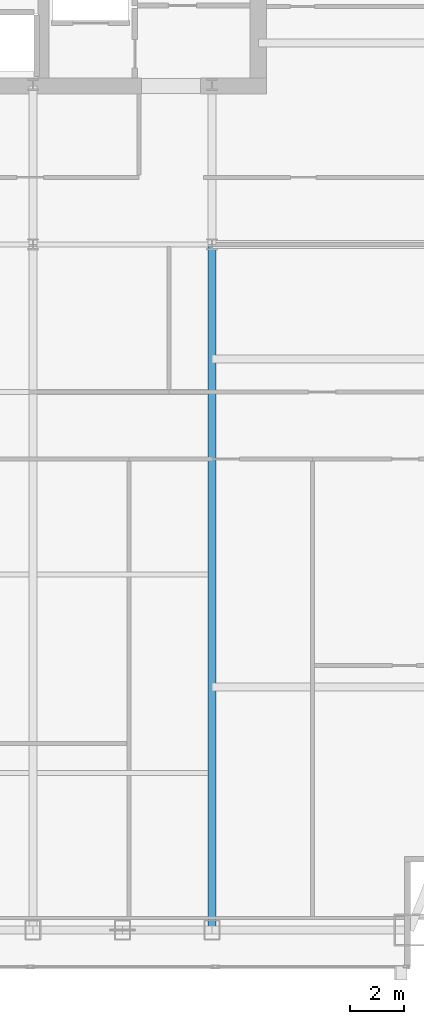
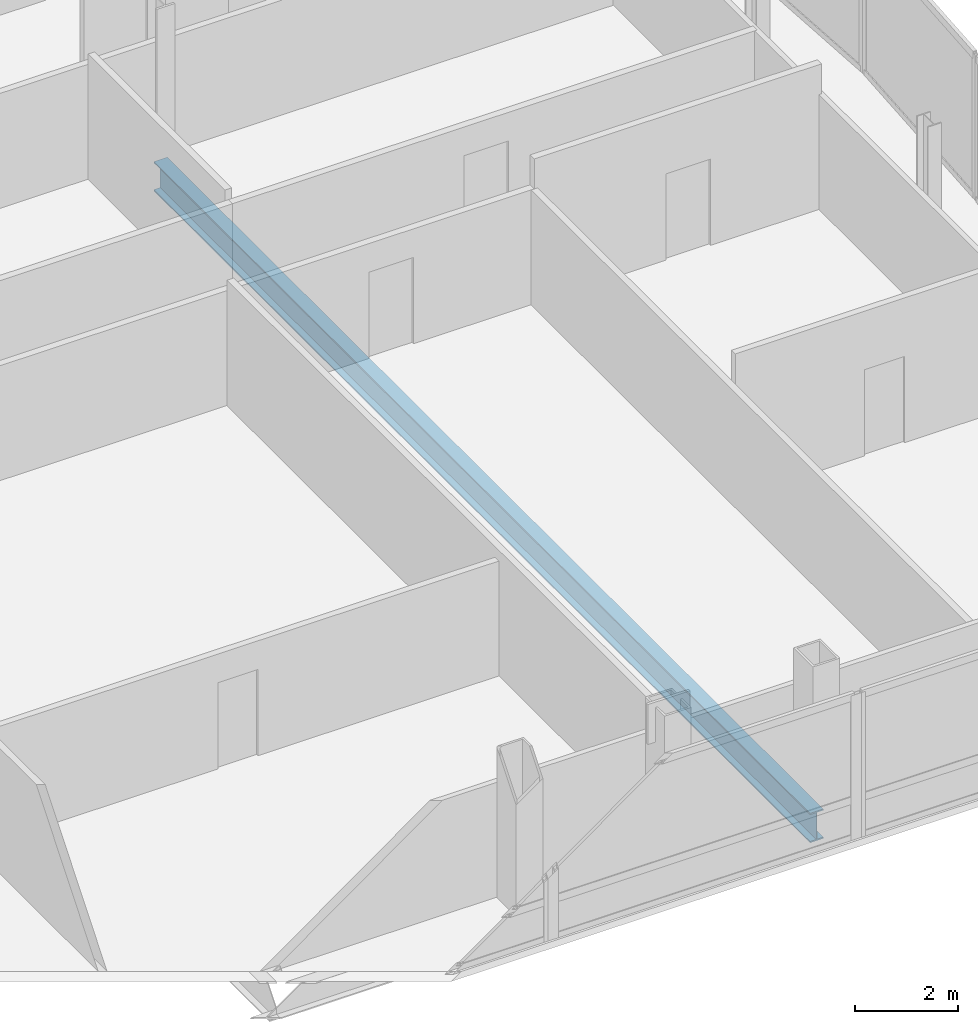
# One storey, part 15 of 30: 1 beam.
"""IFC4 building model written with IfcOpenShell, lengths in metres."""

from ifc_helpers import new_model, si_unit, direction, frame, origin, origin_2d, place, context, subcontext, project, spatial, i_section, extrude, material, material_profile, profile_set, type_object, element, save


model = new_model("IFC4")

# Units and contexts
model_context = context("Model", 3, precision=1e-05, world=origin(), true_north=direction((0.0, 1.0)))
body_context = subcontext(model_context, "Body", "Model", "MODEL_VIEW")
ifc_project = project(units=[si_unit("LENGTHUNIT", "METRE"), si_unit("AREAUNIT", "SQUARE_METRE"), si_unit("VOLUMEUNIT", "CUBIC_METRE"), si_unit("PLANEANGLEUNIT", "RADIAN"), si_unit("MASSUNIT", "GRAM", prefix="KILO")], contexts=[model_context])

# Site, building, storey
site_placement = place(None, origin())
site = spatial("IfcSite", under=ifc_project, at=site_placement, CompositionType="ELEMENT")
building_placement = place(site_placement, origin())
building = spatial("IfcBuilding", under=site, at=building_placement, Name="Khoronbel Lancet Exchange", CompositionType="ELEMENT")
storey_placement = place(building_placement, frame((0.0, 0.0, 206.60009765625)))
storey = spatial("IfcBuildingStorey", under=building, at=storey_placement, Name="L52", CompositionType="ELEMENT", Elevation=206.60009765625)

# Beam
ifc_material = material(Name="Steel S355", Category="steel")
ifc_material_profile = material_profile(ifc_material, i_section(OverallWidth=0.300048828125, OverallDepth=0.699951171875, WebThickness=0.01708984375, FlangeThickness=0.031982421875, at=origin_2d()), Name="HEB 700")
ifc_profile_set = profile_set([ifc_material_profile], Name="Steel S355")
beam_type = type_object("IfcBeamType", Name="BM-BG3", PredefinedType="BEAM", material=ifc_profile_set)
beam_placement = place(storey_placement, frame((54.675048828125, 10.14990234375, -0.510009765625), z_axis=(0.0, 1.0, 0.0), x_axis=(-1.0, 0.0, 0.0)))
element("IfcBeam", 1, at=beam_placement, inside=storey, type_object=beam_type, Name="Level L52 south primary girder GS6", PredefinedType="BEAM", context=body_context, shape_type="SweptSolid", body=[
    extrude(i_section(OverallWidth=0.300048828125, OverallDepth=0.699951171875, WebThickness=0.01708984375, FlangeThickness=0.031982421875, at=origin_2d()), origin(), (0.0, 0.0, 1.0), 25.550048828125),
])

save(model, "model.ifc")
